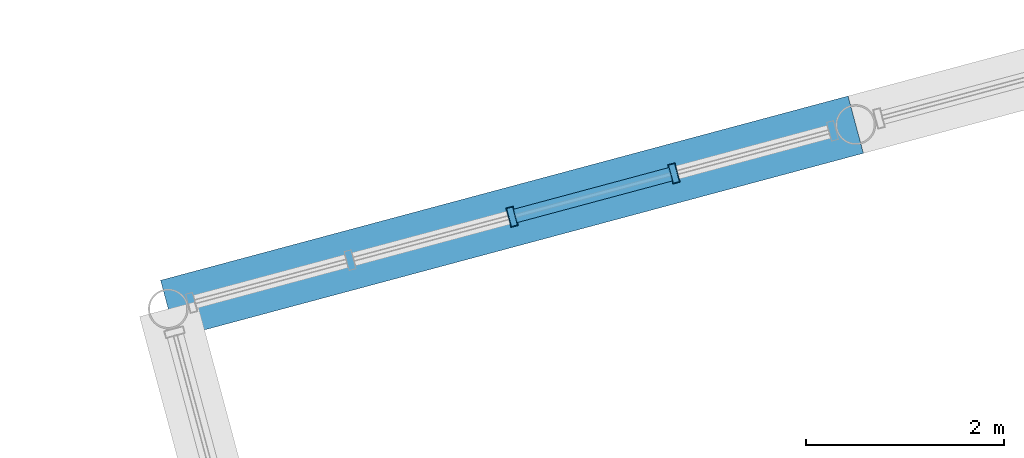
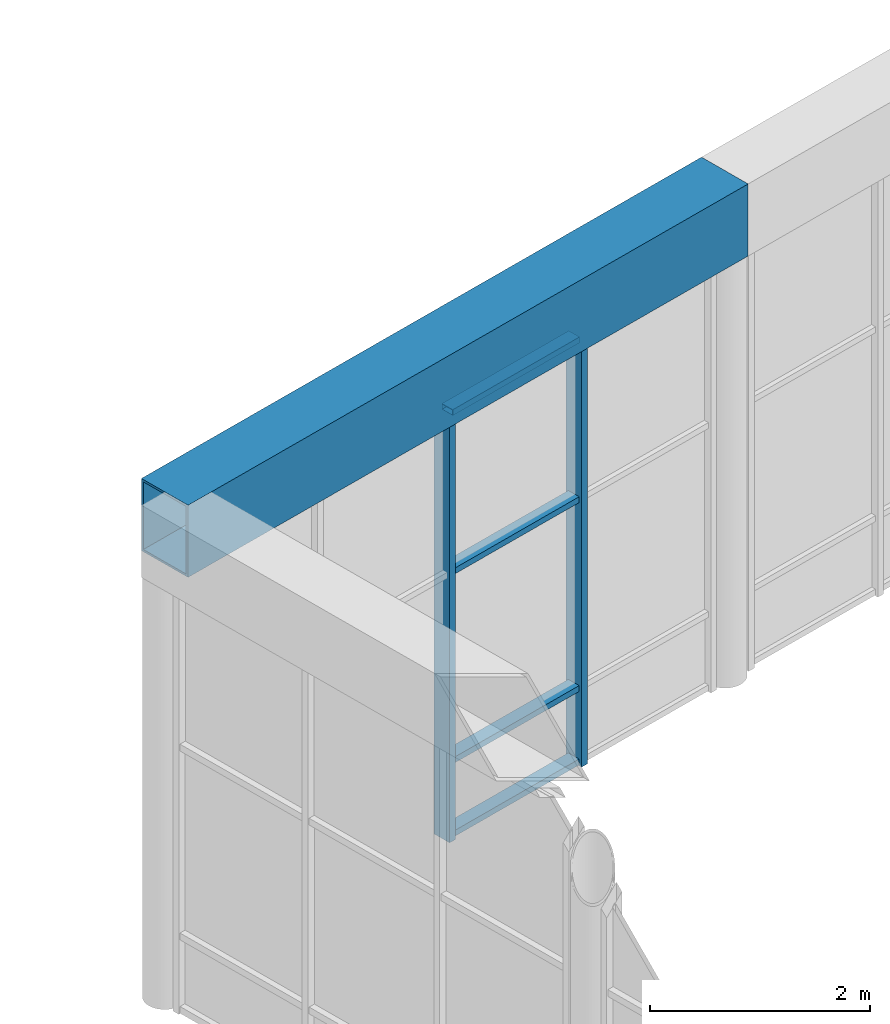
# One storey, part 26 of 55: 6 members, 1 beam, 1 element without a shape of its own.
"""IFC4 building model written with IfcOpenShell, lengths in metres."""

from ifc_helpers import new_model, si_unit, direction, frame, origin, origin_2d, place, context, subcontext, project, spatial, hollow_rectangle, extrude, material, layer, layer_set, material_profile, profile_set, type_object, element, aggregate, save


model = new_model("IFC4")

# Units and contexts
model_context = context("Model", 3, precision=1e-05, world=origin(), true_north=direction((0.0, 1.0)))
body_context = subcontext(model_context, "Body", "Model", "MODEL_VIEW")
ifc_project = project(units=[si_unit("LENGTHUNIT", "METRE"), si_unit("AREAUNIT", "SQUARE_METRE"), si_unit("VOLUMEUNIT", "CUBIC_METRE"), si_unit("PLANEANGLEUNIT", "RADIAN"), si_unit("MASSUNIT", "GRAM", prefix="KILO")], contexts=[model_context])

# Site, building, storey
site_placement = place(None, origin())
site = spatial("IfcSite", under=ifc_project, at=site_placement, CompositionType="ELEMENT")
building_placement = place(site_placement, origin())
building = spatial("IfcBuilding", under=site, at=building_placement, Name="Ventoquebrada Cableway Terminal", CompositionType="ELEMENT")
storey_placement = place(building_placement, frame((0.0, 0.0, 14.39990234375)))
storey = spatial("IfcBuildingStorey", under=building, at=storey_placement, Name="L03", CompositionType="ELEMENT", Elevation=14.39990234375)

# Curtain wall, members
ifc_material_1 = material(Name="Anodized thermally-broken aluminium", Category="aluminium")
ifc_layer = layer(ifc_material_1, 0.159912109375)
ifc_layer_set = layer_set([ifc_layer], Name="Anodized thermally-broken aluminium")
curtain_wall_type = type_object("IfcCurtainWallType", Name="CW-T42", PredefinedType="USERDEFINED", material=ifc_layer_set)
curtain_wall_placement = place(storey_placement, origin())
curtain_wall = element("IfcCurtainWall", 1, at=curtain_wall_placement, inside=storey, type_object=curtain_wall_type, Name="Unitised glazed curtain wall CW-120", ObjectType="UNITISED CURTAIN WALL", PredefinedType="USERDEFINED")
ifc_material_profile_1 = material_profile(ifc_material_1, hollow_rectangle(XDim=0.074951171875, YDim=0.199951171875, WallThickness=0.00439453125, at=origin_2d()), Name="CW-MUL-75X200")
ifc_profile_set_1 = profile_set([ifc_material_profile_1], Name="Anodized thermally-broken aluminium")
member_type_1 = type_object("IfcMemberType", Name="CWM-02", PredefinedType="MULLION", material=ifc_profile_set_1)
member_1_placement = place(storey_placement, frame((50.364013671875, 96.26904296875, -0.0078125), z_axis=(0.0, 0.0, 1.0), x_axis=(-0.965912273231, -0.258869620506, 0.0)))
member_1 = element("IfcMember", 2, at=member_1_placement, type_object=member_type_1, Name="Curtain wall mullion FML-0582", PredefinedType="MULLION", context=body_context, shape_type="SweptSolid", body=[
    extrude(hollow_rectangle(XDim=0.074951171875, YDim=0.199951171875, WallThickness=0.00439453125, at=origin_2d()), origin(), (0.0, 0.0, 1.0), 4.762939453125),
])
member_2_placement = place(storey_placement, frame((48.72607421875, 95.830078125, -0.0078125), z_axis=(0.0, 0.0, 1.0), x_axis=(-0.965912273231, -0.258869620506, 0.0)))
member_2 = element("IfcMember", 3, at=member_2_placement, type_object=member_type_1, Name="Curtain wall mullion FML-0583", PredefinedType="MULLION", context=body_context, shape_type="SweptSolid", body=[
    extrude(hollow_rectangle(XDim=0.074951171875, YDim=0.199951171875, WallThickness=0.00439453125, at=origin_2d()), origin(), (0.0, 0.0, 1.0), 4.762939453125),
])
ifc_material_profile_2 = material_profile(ifc_material_1, hollow_rectangle(XDim=0.06494140625, YDim=0.139892578125, WallThickness=0.00390625, at=origin_2d()), Name="CW-TRN-65X140")
ifc_profile_set_2 = profile_set([ifc_material_profile_2], Name="Anodized thermally-broken aluminium")
member_type_2 = type_object("IfcMemberType", Name="CWT-01", PredefinedType="USERDEFINED", material=ifc_profile_set_2)
member_3_placement = place(storey_placement, frame((50.3330078125, 96.260986328125, 0.03515625), z_axis=(-0.965798983504, -0.259291965672, 0.0), x_axis=(0.0, 0.0, 1.0)))
member_3 = element("IfcMember", 4, at=member_3_placement, type_object=member_type_2, Name="Curtain wall transom FTR-1716", ObjectType="TRANSOM", PredefinedType="USERDEFINED", context=body_context, shape_type="SweptSolid", body=[
    extrude(hollow_rectangle(XDim=0.06494140625, YDim=0.139892578125, WallThickness=0.00390625, at=origin_2d()), origin(), (0.0, 0.0, 1.0), 1.6318359375),
])
member_4_placement = place(storey_placement, frame((50.3330078125, 96.260986328125, 0.85009765625), z_axis=(-0.965798983504, -0.259291965672, 0.0), x_axis=(0.0, 0.0, 1.0)))
member_4 = element("IfcMember", 5, at=member_4_placement, type_object=member_type_2, Name="Curtain wall transom FTR-1717", ObjectType="TRANSOM", PredefinedType="USERDEFINED", context=body_context, shape_type="SweptSolid", body=[
    extrude(hollow_rectangle(XDim=0.06494140625, YDim=0.139892578125, WallThickness=0.00390625, at=origin_2d()), origin(), (0.0, 0.0, 1.0), 1.6318359375),
])
member_5_placement = place(storey_placement, frame((50.3330078125, 96.260986328125, 2.945068359375), z_axis=(-0.965798983504, -0.259291965672, 0.0), x_axis=(0.0, 0.0, 1.0)))
member_5 = element("IfcMember", 6, at=member_5_placement, type_object=member_type_2, Name="Curtain wall transom FTR-1718", ObjectType="TRANSOM", PredefinedType="USERDEFINED", context=body_context, shape_type="SweptSolid", body=[
    extrude(hollow_rectangle(XDim=0.06494140625, YDim=0.139892578125, WallThickness=0.00390625, at=origin_2d()), origin(), (0.0, 0.0, 1.0), 1.6318359375),
])
member_6_placement = place(storey_placement, frame((50.3330078125, 96.260986328125, 4.715087890625), z_axis=(-0.965798983504, -0.259291965672, 0.0), x_axis=(0.0, 0.0, 1.0)))
member_6 = element("IfcMember", 7, at=member_6_placement, type_object=member_type_2, Name="Curtain wall transom FTR-1719", ObjectType="TRANSOM", PredefinedType="USERDEFINED", context=body_context, shape_type="SweptSolid", body=[
    extrude(hollow_rectangle(XDim=0.06494140625, YDim=0.139892578125, WallThickness=0.00390625, at=origin_2d()), origin(), (0.0, 0.0, 1.0), 1.6318359375),
])
aggregate(curtain_wall, [member_1, member_2, member_3, member_4, member_5, member_6])

# Beam
ifc_material_2 = material(Name="Steel ASTM A572 Grade 50", Category="steel")
ifc_material_profile_3 = material_profile(ifc_material_2, hollow_rectangle(XDim=0.60009765625, YDim=0.800048828125, WallThickness=0.02490234375, at=origin_2d()), Name="BOX600X800X25")
ifc_profile_set_3 = profile_set([ifc_material_profile_3], Name="Steel ASTM A572 Grade 50")
beam_type = type_object("IfcBeamType", Name="RNG-ST01", PredefinedType="BEAM", material=ifc_profile_set_3)
beam_placement = place(storey_placement, frame((45.2490234375, 94.89794921875, 5.2001953125), z_axis=(0.965900361292, 0.258914063071, 0.0), x_axis=(-0.258914063071, 0.965900361292, 0.0)))
element("IfcBeam", 8, at=beam_placement, inside=storey, type_object=beam_type, Name="Gridshell compression-tension ring beam FBM-1141", PredefinedType="BEAM", context=body_context, shape_type="SweptSolid", body=[
    extrude(hollow_rectangle(XDim=0.60009765625, YDim=0.800048828125, WallThickness=0.02490234375, at=origin_2d()), origin(), (0.0, 0.0, 1.0), 7.199462890625),
])

save(model, "model.ifc")
